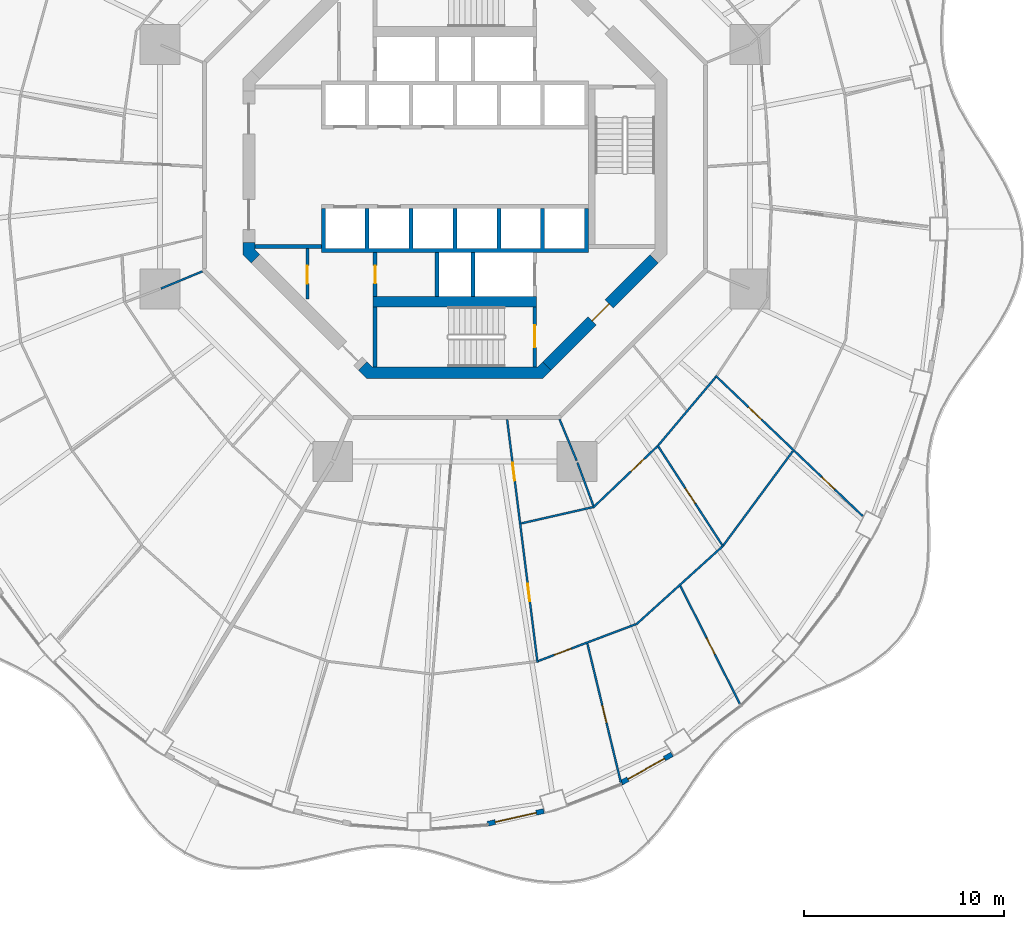
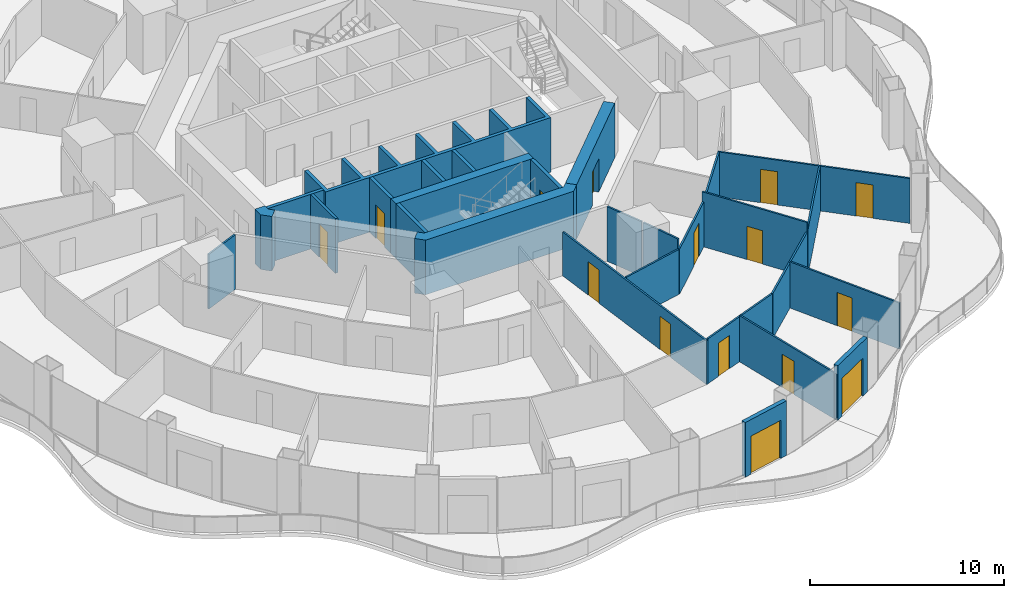
# One storey, part 12 of 19: 28 walls, 15 doors, 15 openings.
"""IFC4 building model written with IfcOpenShell, lengths in metres."""

from ifc_helpers import new_model, si_unit, direction, frame, frame_2d, origin, place, context, subcontext, project, spatial, polyline, rectangle, outline, extrude, material, layer, layer_set, type_object, element, fill, save


model = new_model("IFC4")

# Units and contexts
model_context = context("Model", 3, precision=1e-05, world=origin(), true_north=direction((0.0, 1.0)))
body_context = subcontext(model_context, "Body", "Model", "MODEL_VIEW")
ifc_project = project(units=[si_unit("LENGTHUNIT", "METRE"), si_unit("AREAUNIT", "SQUARE_METRE"), si_unit("VOLUMEUNIT", "CUBIC_METRE"), si_unit("PLANEANGLEUNIT", "RADIAN"), si_unit("MASSUNIT", "GRAM", prefix="KILO")], contexts=[model_context])

# Site, building, storey
site_placement = place(None, origin())
site = spatial("IfcSite", under=ifc_project, at=site_placement, CompositionType="ELEMENT")
building_placement = place(site_placement, origin())
building = spatial("IfcBuilding", under=site, at=building_placement, Name="Nagisa Residences", CompositionType="ELEMENT")
storey_placement = place(building_placement, frame((0.0, 0.0, 149.199951171875)))
storey = spatial("IfcBuildingStorey", under=building, at=storey_placement, Name="L37", CompositionType="ELEMENT", Elevation=149.199951171875)

# Wall
ifc_material_1 = material(Name="Gypsum board on steel studs", Category="steel")
ifc_layer_1 = layer(ifc_material_1, 0.10009765625)
ifc_layer_set_1 = layer_set([ifc_layer_1], Name="Apartment partition 100")
wall_type_1 = type_object("IfcWallType", Name="Apartment partition 100", PredefinedType="PARTITIONING", material=ifc_layer_set_1)
wall_1_placement = place(storey_placement, frame((-12.6572265625, -5.24267578125, 0.0), z_axis=(0.0, 0.0, 1.0), x_axis=(-0.923864733477, -0.382719158442, 0.0)))
element("IfcWall", 1, at=wall_1_placement, inside=storey, type_object=wall_type_1, Name="wall:L37:u59", PredefinedType="PARTITIONING", context=body_context, shape_type="SweptSolid", body=[
    extrude(rectangle(XDim=2.25, YDim=0.10009765625, at=frame_2d((1.125, 0.0))), origin(), (0.0, 0.0, 1.0), 3.43994140625),
])

# Wall, openings, doors
wall_2_placement = place(storey_placement, frame((2.61474609375, -12.6640625, 0.0), z_axis=(0.0, 0.0, 1.0), x_axis=(0.124051875784, -0.992275733914, 0.0)))
wall_2 = element("IfcWall", 2, at=wall_2_placement, inside=storey, type_object=wall_type_1, Name="wall:L37:u79", PredefinedType="PARTITIONING", context=body_context, shape_type="SweptSolid", body=[
    extrude(rectangle(XDim=12.270751953125, YDim=0.10009765625, at=frame_2d((6.13525390625, 0.0))), origin(), (0.0, 0.0, 1.0), 2.756103515625),
])
opening_1_placement = place(wall_2_placement, frame((2.182861328125, 0.0, 0.0)))
opening_1 = element("IfcOpeningElement", 3, at=opening_1_placement, cuts=wall_2, Name="Opening L37-U03", PredefinedType="OPENING", context=body_context, shape_type="SweptSolid", body=[
    extrude(rectangle(XDim=0.89990234375, YDim=2.10009765625, at=frame_2d((0.449951171875, 1.050048828125))), frame((0.0, 0.06005859375, 0.0), z_axis=(0.0, -1.0, 0.0), x_axis=(1.0, 0.0, 0.0)), (0.0, 0.0, 1.0), 0.1201171875),
])
opening_2_placement = place(wall_2_placement, frame((8.293212890625, 0.0, 0.0)))
opening_2 = element("IfcOpeningElement", 4, at=opening_2_placement, cuts=wall_2, Name="Opening L37-U06", PredefinedType="OPENING", context=body_context, shape_type="SweptSolid", body=[
    extrude(rectangle(XDim=0.89990234375, YDim=2.10009765625, at=frame_2d((0.449951171875, 1.050048828125))), frame((0.0, 0.06005859375, 0.0), z_axis=(0.0, -1.0, 0.0), x_axis=(1.0, 0.0, 0.0)), (0.0, 0.0, 1.0), 0.1201171875),
])
ifc_material_2 = material(Name="Timber door set", Category="wood")
door_type_1 = type_object("IfcDoorType", Name="Apartment door 900x2100", OperationType="NOTDEFINED", PredefinedType="DOOR", material=ifc_material_2)
door_1_placement = place(opening_1_placement, origin())
door_1 = element("IfcDoor", 5, at=door_1_placement, inside=storey, type_object=door_type_1, Name="Door to family bathroom, Apartment 37A", OperationType="SINGLE_SWING_LEFT", OverallHeight=2.10009765625, OverallWidth=0.89990234375, PredefinedType="DOOR", context=body_context, shape_type="SweptSolid", body=[
    extrude(rectangle(XDim=0.89990234375, YDim=2.10009765625, at=frame_2d((0.449951171875, 1.050048828125))), frame((0.0, 0.02490234375, 0.0), z_axis=(0.0, -1.0, 0.0), x_axis=(1.0, 0.0, 0.0)), (0.0, 0.0, 1.0), 0.050048828125),
])
fill(opening_1, door_1)
door_2_placement = place(opening_2_placement, origin())
door_2 = element("IfcDoor", 6, at=door_2_placement, inside=storey, type_object=door_type_1, Name="Door to family room, Apartment 37A", OperationType="SINGLE_SWING_RIGHT", OverallHeight=2.10009765625, OverallWidth=0.89990234375, PredefinedType="DOOR", context=body_context, shape_type="SweptSolid", body=[
    extrude(rectangle(XDim=0.89990234375, YDim=2.10009765625, at=frame_2d((0.449951171875, 1.050048828125))), frame((0.0, 0.02490234375, 0.0), z_axis=(0.0, -1.0, 0.0), x_axis=(1.0, 0.0, 0.0)), (0.0, 0.0, 1.0), 0.050048828125),
])
fill(opening_2, door_2)

# Wall
wall_3_placement = place(storey_placement, frame((3.316650390625, -17.8779296875, 0.0), z_axis=(0.0, 0.0, 1.0), x_axis=(0.975099660451, 0.221767112505, 0.0)))
element("IfcWall", 7, at=wall_3_placement, inside=storey, type_object=wall_type_1, Name="wall:L37:u80", PredefinedType="PARTITIONING", context=body_context, shape_type="SweptSolid", body=[
    extrude(rectangle(XDim=3.685791015625, YDim=0.10009765625, at=frame_2d((1.8427734375, 0.0))), origin(), (0.0, 0.0, 1.0), 2.828125),
])

# Wall, opening, door
wall_4_placement = place(storey_placement, frame((4.177734375, -24.77294921875, 0.0), z_axis=(0.0, 0.0, 1.0), x_axis=(0.935585145124, 0.353101169955, 0.0)))
wall_4 = element("IfcWall", 8, at=wall_4_placement, inside=storey, type_object=wall_type_1, Name="wall:L37:u81", PredefinedType="PARTITIONING", context=body_context, shape_type="SweptSolid", body=[
    extrude(rectangle(XDim=5.2333984375, YDim=0.10009765625, at=frame_2d((2.61669921875, 0.0))), origin(), (0.0, 0.0, 1.0), 2.828125),
])
opening_3_placement = place(wall_4_placement, frame((0.8583984375, 0.0, 0.0)))
opening_3 = element("IfcOpeningElement", 9, at=opening_3_placement, cuts=wall_4, Name="Opening L37-U13", PredefinedType="OPENING", context=body_context, shape_type="SweptSolid", body=[
    extrude(rectangle(XDim=0.89990234375, YDim=2.10009765625, at=frame_2d((0.449951171875, 1.050048828125))), frame((0.0, 0.06005859375, 0.0), z_axis=(0.0, -1.0, 0.0), x_axis=(1.0, 0.0, 0.0)), (0.0, 0.0, 1.0), 0.1201171875),
])
door_3_placement = place(opening_3_placement, frame((0.89990234375, 0.0, 0.0), x_axis=(-1.0, 0.0, 0.0)))
door_3 = element("IfcDoor", 10, at=door_3_placement, inside=storey, type_object=door_type_1, Name="Door to dining room, Apartment 37A", OperationType="SINGLE_SWING_RIGHT", OverallHeight=2.10009765625, OverallWidth=0.89990234375, PredefinedType="DOOR", context=body_context, shape_type="SweptSolid", body=[
    extrude(rectangle(XDim=0.89990234375, YDim=2.10009765625, at=frame_2d((0.449951171875, 1.050048828125))), frame((0.0, 0.02490234375, 0.0), z_axis=(0.0, -1.0, 0.0), x_axis=(1.0, 0.0, 0.0)), (0.0, 0.0, 1.0), 0.050048828125),
])
fill(opening_3, door_3)

wall_5_placement = place(storey_placement, frame((6.6376953125, -23.8974609375, 0.0), z_axis=(0.0, 0.0, 1.0), x_axis=(0.23451925277, -0.97211147513, 0.0)))
wall_5 = element("IfcWall", 11, at=wall_5_placement, inside=storey, type_object=wall_type_1, Name="wall:L37:u82", PredefinedType="PARTITIONING", context=body_context, shape_type="SweptSolid", body=[
    extrude(rectangle(XDim=7.281005859375, YDim=0.10009765625, at=frame_2d((3.640625, 0.0))), origin(), (0.0, 0.0, 1.0), 2.905029296875),
])
opening_4_placement = place(wall_5_placement, frame((3.1904296875, 0.0, 0.0)))
opening_4 = element("IfcOpeningElement", 12, at=opening_4_placement, cuts=wall_5, Name="Opening L37-U14", PredefinedType="OPENING", context=body_context, shape_type="SweptSolid", body=[
    extrude(rectangle(XDim=0.89990234375, YDim=2.10009765625, at=frame_2d((0.449951171875, 1.050048828125))), frame((0.0, 0.06005859375, 0.0), z_axis=(0.0, -1.0, 0.0), x_axis=(1.0, 0.0, 0.0)), (0.0, 0.0, 1.0), 0.1201171875),
])
door_4_placement = place(opening_4_placement, origin())
door_4 = element("IfcDoor", 13, at=door_4_placement, inside=storey, type_object=door_type_1, Name="Door to living room, Apartment 37A", OperationType="SINGLE_SWING_RIGHT", OverallHeight=2.10009765625, OverallWidth=0.89990234375, PredefinedType="DOOR", context=body_context, shape_type="SweptSolid", body=[
    extrude(rectangle(XDim=0.89990234375, YDim=2.10009765625, at=frame_2d((0.449951171875, 1.050048828125))), frame((0.0, 0.02490234375, 0.0), z_axis=(0.0, -1.0, 0.0), x_axis=(1.0, 0.0, 0.0)), (0.0, 0.0, 1.0), 0.050048828125),
])
fill(opening_4, door_4)

# Walls
wall_6_placement = place(storey_placement, frame((5.24267578125, -12.6572265625, 0.0), z_axis=(0.0, 0.0, 1.0), x_axis=(0.382703272338, -0.923871314276, 0.0)))
element("IfcWall", 14, at=wall_6_placement, inside=storey, type_object=wall_type_1, Name="wall:L37:u83", PredefinedType="PARTITIONING", context=body_context, shape_type="SweptSolid", body=[
    extrude(rectangle(XDim=2.249267578125, YDim=0.10009765625, at=frame_2d((1.12451171875, 0.0))), origin(), (0.0, 0.0, 1.0), 3.43994140625),
])
wall_7_placement = place(storey_placement, frame((6.14013671875, -14.8291015625, 0.0), z_axis=(0.0, 0.0, 1.0), x_axis=(0.346198576881, -0.938161257655, 0.0)))
element("IfcWall", 15, at=wall_7_placement, inside=storey, type_object=wall_type_1, Name="wall:L37:u84", PredefinedType="PARTITIONING", context=body_context, shape_type="SweptSolid", body=[
    extrude(rectangle(XDim=2.316650390625, YDim=0.10009765625, at=frame_2d((1.158203125, 0.0))), origin(), (0.0, 0.0, 1.0), 3.43994140625),
])

# Wall, opening, door
wall_8_placement = place(storey_placement, frame((6.92333984375, -17.083984375, 0.0), z_axis=(0.0, 0.0, 1.0), x_axis=(0.723719008606, 0.690094773623, 0.0)))
wall_8 = element("IfcWall", 16, at=wall_8_placement, inside=storey, type_object=wall_type_1, Name="wall:L37:u85", PredefinedType="PARTITIONING", context=body_context, shape_type="SweptSolid", body=[
    extrude(rectangle(XDim=4.436279296875, YDim=0.10009765625, at=frame_2d((2.21826171875, 0.0))), origin(), (0.0, 0.0, 1.0), 2.828125),
])
opening_5_placement = place(wall_8_placement, frame((2.629150390625, 0.0, 0.0)))
opening_5 = element("IfcOpeningElement", 17, at=opening_5_placement, cuts=wall_8, Name="Opening L37-U20", PredefinedType="OPENING", context=body_context, shape_type="SweptSolid", body=[
    extrude(rectangle(XDim=0.89990234375, YDim=2.10009765625, at=frame_2d((0.449951171875, 1.050048828125))), frame((0.0, 0.06005859375, 0.0), z_axis=(0.0, -1.0, 0.0), x_axis=(1.0, 0.0, 0.0)), (0.0, 0.0, 1.0), 0.1201171875),
])
door_5_placement = place(opening_5_placement, origin())
door_5 = element("IfcDoor", 18, at=door_5_placement, inside=storey, type_object=door_type_1, Name="Door to store, Apartment 37A", OperationType="SINGLE_SWING_RIGHT", OverallHeight=2.10009765625, OverallWidth=0.89990234375, PredefinedType="DOOR", context=body_context, shape_type="SweptSolid", body=[
    extrude(rectangle(XDim=0.89990234375, YDim=2.10009765625, at=frame_2d((0.449951171875, 1.050048828125))), frame((0.0, 0.02490234375, 0.0), z_axis=(0.0, -1.0, 0.0), x_axis=(1.0, 0.0, 0.0)), (0.0, 0.0, 1.0), 0.050048828125),
])
fill(opening_5, door_5)

# Wall
wall_9_placement = place(storey_placement, frame((9.083740234375, -22.94091796875, 0.0), z_axis=(0.0, 0.0, 1.0), x_axis=(0.741684187175, 0.670749257543, 0.0)))
element("IfcWall", 19, at=wall_9_placement, inside=storey, type_object=wall_type_1, Name="wall:L37:u86", PredefinedType="PARTITIONING", context=body_context, shape_type="SweptSolid", body=[
    extrude(rectangle(XDim=5.80615234375, YDim=0.10009765625, at=frame_2d((2.903076171875, 0.0))), origin(), (0.0, 0.0, 1.0), 2.828125),
])

# Wall, opening, door
wall_10_placement = place(storey_placement, frame((11.29638671875, -21.0048828125, 0.0), z_axis=(0.0, 0.0, 1.0), x_axis=(0.44991509116, -0.893071335755, 0.0)))
wall_10 = element("IfcWall", 20, at=wall_10_placement, inside=storey, type_object=wall_type_1, Name="wall:L37:u87", PredefinedType="PARTITIONING", context=body_context, shape_type="SweptSolid", body=[
    extrude(rectangle(XDim=6.754638671875, YDim=0.10009765625, at=frame_2d((3.37744140625, 0.0))), origin(), (0.0, 0.0, 1.0), 2.905029296875),
])
opening_6_placement = place(wall_10_placement, frame((2.927490234375, 0.0, 0.0)))
opening_6 = element("IfcOpeningElement", 21, at=opening_6_placement, cuts=wall_10, Name="Opening L37-U15", PredefinedType="OPENING", context=body_context, shape_type="SweptSolid", body=[
    extrude(rectangle(XDim=0.89990234375, YDim=2.10009765625, at=frame_2d((0.449951171875, 1.050048828125))), frame((0.0, 0.06005859375, 0.0), z_axis=(0.0, -1.0, 0.0), x_axis=(1.0, 0.0, 0.0)), (0.0, 0.0, 1.0), 0.1201171875),
])
door_6_placement = place(opening_6_placement, origin())
door_6 = element("IfcDoor", 22, at=door_6_placement, inside=storey, type_object=door_type_1, Name="Door to dining room, Apartment 37A", OperationType="SINGLE_SWING_LEFT", OverallHeight=2.10009765625, OverallWidth=0.89990234375, PredefinedType="DOOR", context=body_context, shape_type="SweptSolid", body=[
    extrude(rectangle(XDim=0.89990234375, YDim=2.10009765625, at=frame_2d((0.449951171875, 1.050048828125))), frame((0.0, 0.02490234375, 0.0), z_axis=(0.0, -1.0, 0.0), x_axis=(1.0, 0.0, 0.0)), (0.0, 0.0, 1.0), 0.050048828125),
])
fill(opening_6, door_6)

wall_11_placement = place(storey_placement, frame((10.14306640625, -13.94580078125, 0.0), z_axis=(0.0, 0.0, 1.0), x_axis=(0.543872968754, -0.839167560061, 0.0)))
wall_11 = element("IfcWall", 23, at=wall_11_placement, inside=storey, type_object=wall_type_1, Name="wall:L37:u88", PredefinedType="PARTITIONING", context=body_context, shape_type="SweptSolid", body=[
    extrude(rectangle(XDim=6.08837890625, YDim=0.10009765625, at=frame_2d((3.044189453125, 0.0))), origin(), (0.0, 0.0, 1.0), 3.43994140625),
])
opening_7_placement = place(wall_11_placement, frame((2.593994140625, 0.0, 0.0)))
opening_7 = element("IfcOpeningElement", 24, at=opening_7_placement, cuts=wall_11, Name="Opening L37-U07", PredefinedType="OPENING", context=body_context, shape_type="SweptSolid", body=[
    extrude(rectangle(XDim=0.89990234375, YDim=2.10009765625, at=frame_2d((0.449951171875, 1.050048828125))), frame((0.0, 0.06005859375, 0.0), z_axis=(0.0, -1.0, 0.0), x_axis=(1.0, 0.0, 0.0)), (0.0, 0.0, 1.0), 0.1201171875),
])
door_7_placement = place(opening_7_placement, origin())
door_7 = element("IfcDoor", 25, at=door_7_placement, inside=storey, type_object=door_type_1, Name="Door to study, Apartment 37A", OperationType="SINGLE_SWING_LEFT", OverallHeight=2.10009765625, OverallWidth=0.89990234375, PredefinedType="DOOR", context=body_context, shape_type="SweptSolid", body=[
    extrude(rectangle(XDim=0.89990234375, YDim=2.10009765625, at=frame_2d((0.449951171875, 1.050048828125))), frame((0.0, 0.02490234375, 0.0), z_axis=(0.0, -1.0, 0.0), x_axis=(1.0, 0.0, 0.0)), (0.0, 0.0, 1.0), 0.050048828125),
])
fill(opening_7, door_7)

# Walls
wall_12_placement = place(storey_placement, frame((10.202392578125, -13.94970703125, 0.0), z_axis=(0.0, 0.0, 1.0), x_axis=(0.644068144287, 0.764968120587, 0.0)))
element("IfcWall", 26, at=wall_12_placement, inside=storey, type_object=wall_type_1, Name="wall:L37:u89", PredefinedType="PARTITIONING", context=body_context, shape_type="SweptSolid", body=[
    extrude(rectangle(XDim=4.44873046875, YDim=0.10009765625, at=frame_2d((2.224365234375, 0.0))), origin(), (0.0, 0.0, 1.0), 2.828125),
])
wall_13_placement = place(storey_placement, frame((13.456787109375, -18.97265625, 0.0), z_axis=(0.0, 0.0, 1.0), x_axis=(0.593532053206, 0.80481035146, 0.0)))
element("IfcWall", 27, at=wall_13_placement, inside=storey, type_object=wall_type_1, Name="wall:L37:u90", PredefinedType="PARTITIONING", context=body_context, shape_type="SweptSolid", body=[
    extrude(rectangle(XDim=5.8759765625, YDim=0.10009765625, at=frame_2d((2.93798828125, 0.0))), origin(), (0.0, 0.0, 1.0), 2.828125),
])

# Wall, openings, doors
wall_14_placement = place(storey_placement, frame((13.063720703125, -10.473876953125, 0.0), z_axis=(0.0, 0.0, 1.0), x_axis=(0.723627371706, -0.690190862673, 0.0)))
wall_14 = element("IfcWall", 28, at=wall_14_placement, inside=storey, type_object=wall_type_1, Name="wall:L37:u92", PredefinedType="PARTITIONING", context=body_context, shape_type="SweptSolid", body=[
    extrude(rectangle(XDim=10.193115234375, YDim=0.10009765625, at=frame_2d((5.0966796875, 0.0))), origin(), (0.0, 0.0, 1.0), 2.828125),
])
opening_8_placement = place(wall_14_placement, frame((2.27685546875, 0.0, 0.0)))
opening_8 = element("IfcOpeningElement", 29, at=opening_8_placement, cuts=wall_14, Name="Opening L37-U08", PredefinedType="OPENING", context=body_context, shape_type="SweptSolid", body=[
    extrude(rectangle(XDim=0.89990234375, YDim=2.10009765625, at=frame_2d((0.449951171875, 1.050048828125))), frame((0.0, 0.06005859375, 0.0), z_axis=(0.0, -1.0, 0.0), x_axis=(1.0, 0.0, 0.0)), (0.0, 0.0, 1.0), 0.1201171875),
])
opening_9_placement = place(wall_14_placement, frame((7.348388671875, 0.0, 0.0)))
opening_9 = element("IfcOpeningElement", 30, at=opening_9_placement, cuts=wall_14, Name="Opening L37-U16", PredefinedType="OPENING", context=body_context, shape_type="SweptSolid", body=[
    extrude(rectangle(XDim=0.89990234375, YDim=2.10009765625, at=frame_2d((0.449951171875, 1.050048828125))), frame((0.0, 0.06005859375, 0.0), z_axis=(0.0, -1.0, 0.0), x_axis=(1.0, 0.0, 0.0)), (0.0, 0.0, 1.0), 0.1201171875),
])
door_8_placement = place(opening_8_placement, origin())
door_8 = element("IfcDoor", 31, at=door_8_placement, inside=storey, type_object=door_type_1, Name="Door to family room, Apartment 37A", OperationType="SINGLE_SWING_RIGHT", OverallHeight=2.10009765625, OverallWidth=0.89990234375, PredefinedType="DOOR", context=body_context, shape_type="SweptSolid", body=[
    extrude(rectangle(XDim=0.89990234375, YDim=2.10009765625, at=frame_2d((0.449951171875, 1.050048828125))), frame((0.0, 0.02490234375, 0.0), z_axis=(0.0, -1.0, 0.0), x_axis=(1.0, 0.0, 0.0)), (0.0, 0.0, 1.0), 0.050048828125),
])
fill(opening_8, door_8)
door_9_placement = place(opening_9_placement, origin())
door_9 = element("IfcDoor", 32, at=door_9_placement, inside=storey, type_object=door_type_1, Name="Door to living room, Apartment 37A", OperationType="SINGLE_SWING_RIGHT", OverallHeight=2.10009765625, OverallWidth=0.89990234375, PredefinedType="DOOR", context=body_context, shape_type="SweptSolid", body=[
    extrude(rectangle(XDim=0.89990234375, YDim=2.10009765625, at=frame_2d((0.449951171875, 1.050048828125))), frame((0.0, 0.02490234375, 0.0), z_axis=(0.0, -1.0, 0.0), x_axis=(1.0, 0.0, 0.0)), (0.0, 0.0, 1.0), 0.050048828125),
])
fill(opening_9, door_9)

# Wall, opening, door
ifc_material_3 = material(Name="Precast concrete C40/50", Category="concrete")
ifc_layer_2 = layer(ifc_material_3, 0.25)
ifc_layer_set_2 = layer_set([ifc_layer_2], Name="BALCONY DOOR WALL 250")
wall_type_2 = type_object("IfcWallType", Name="BALCONY DOOR WALL 250", PredefinedType="SOLIDWALL", material=ifc_layer_set_2)
wall_15_placement = place(storey_placement, frame((4.455078125, -32.29443359375, 0.0), z_axis=(0.0, 0.0, 1.0), x_axis=(-0.975339035722, -0.220711951186, 0.0)))
wall_15 = element("IfcWall", 33, at=wall_15_placement, inside=storey, type_object=wall_type_2, Name="wall:L37:bay37", PredefinedType="SOLIDWALL", context=body_context, shape_type="SweptSolid", body=[
    extrude(rectangle(XDim=2.890380859375, YDim=0.25, at=frame_2d((1.4453125, 0.0))), origin(), (0.0, 0.0, 1.0), 3.43994140625),
])
opening_10_placement = place(wall_15_placement, frame((0.395263671875, 0.0, 0.0)))
opening_10 = element("IfcOpeningElement", 34, at=opening_10_placement, cuts=wall_15, Name="Opening BD-L37-13", PredefinedType="OPENING", context=body_context, shape_type="SweptSolid", body=[
    extrude(rectangle(XDim=2.10009765625, YDim=2.39990234375, at=frame_2d((1.050048828125, 1.199951171875))), frame((0.0, 0.135009765625, 0.0), z_axis=(0.0, -1.0, 0.0), x_axis=(1.0, 0.0, 0.0)), (0.0, 0.0, 1.0), 0.27001953125),
])
ifc_material_4 = material(Name="Aluminium and clear glass", Category="aluminium")
door_type_2 = type_object("IfcDoorType", Name="BALCONY SLIDING DOOR 2100x2400", OperationType="SLIDING_TO_LEFT", PredefinedType="DOOR", material=ifc_material_4)
door_10_placement = place(opening_10_placement, origin())
door_10 = element("IfcDoor", 35, at=door_10_placement, inside=storey, type_object=door_type_2, Name="door:L37:bay37", OperationType="SLIDING_TO_LEFT", OverallHeight=2.39990234375, OverallWidth=2.10009765625, PredefinedType="DOOR", context=body_context, shape_type="SweptSolid", body=[
    extrude(rectangle(XDim=2.10009765625, YDim=2.39990234375, at=frame_2d((1.050048828125, 1.199951171875))), frame((0.0, 0.02490234375, 0.0), z_axis=(0.0, -1.0, 0.0), x_axis=(1.0, 0.0, 0.0)), (0.0, 0.0, 1.0), 0.050048828125),
])
fill(opening_10, door_10)

wall_16_placement = place(storey_placement, frame((10.883056640625, -29.451904296875, 0.0), z_axis=(0.0, 0.0, 1.0), x_axis=(-0.87206688547, -0.489386705241, 0.0)))
wall_16 = element("IfcWall", 36, at=wall_16_placement, inside=storey, type_object=wall_type_2, Name="wall:L37:bay39", PredefinedType="SOLIDWALL", context=body_context, shape_type="SweptSolid", body=[
    extrude(rectangle(XDim=2.9697265625, YDim=0.25, at=frame_2d((1.48486328125, 0.0))), origin(), (0.0, 0.0, 1.0), 3.43994140625),
])
opening_11_placement = place(wall_16_placement, frame((0.434814453125, 0.0, 0.0)))
opening_11 = element("IfcOpeningElement", 37, at=opening_11_placement, cuts=wall_16, Name="Opening BD-L37-14", PredefinedType="OPENING", context=body_context, shape_type="SweptSolid", body=[
    extrude(rectangle(XDim=2.10009765625, YDim=2.39990234375, at=frame_2d((1.050048828125, 1.199951171875))), frame((0.0, 0.135009765625, 0.0), z_axis=(0.0, -1.0, 0.0), x_axis=(1.0, 0.0, 0.0)), (0.0, 0.0, 1.0), 0.27001953125),
])
door_11_placement = place(opening_11_placement, origin())
door_11 = element("IfcDoor", 38, at=door_11_placement, inside=storey, type_object=door_type_2, Name="door:L37:bay39", OperationType="SLIDING_TO_LEFT", OverallHeight=2.39990234375, OverallWidth=2.10009765625, PredefinedType="DOOR", context=body_context, shape_type="SweptSolid", body=[
    extrude(rectangle(XDim=2.10009765625, YDim=2.39990234375, at=frame_2d((1.050048828125, 1.199951171875))), frame((0.0, 0.02490234375, 0.0), z_axis=(0.0, -1.0, 0.0), x_axis=(1.0, 0.0, 0.0)), (0.0, 0.0, 1.0), 0.050048828125),
])
fill(opening_11, door_11)

ifc_material_5 = material(Name="Gypsum board on steel studs", Category="steel")
ifc_layer_3 = layer(ifc_material_5, 0.14990234375)
ifc_layer_set_3 = layer_set([ifc_layer_3], Name="Core partition 150")
wall_type_3 = type_object("IfcWallType", Name="Core partition 150", PredefinedType="PARTITIONING", material=ifc_layer_set_3)
wall_17_placement = place(storey_placement, frame((-7.39990234375, -6.626953125, 0.0), z_axis=(0.0, 0.0, 1.0), x_axis=(0.0, 1.0, 0.0)))
wall_17 = element("IfcWall", 39, at=wall_17_placement, inside=storey, type_object=wall_type_3, Name="wall:L37:SWp", PredefinedType="PARTITIONING", context=body_context, shape_type="SweptSolid", body=[
    extrude(rectangle(XDim=2.52685546875, YDim=0.14990234375, at=frame_2d((1.263427734375, 0.0))), origin(), (0.0, 0.0, 1.0), 3.43994140625),
])
opening_12_placement = place(wall_17_placement, frame((0.77587890625, 0.0, 0.0)))
opening_12 = element("IfcOpeningElement", 40, at=opening_12_placement, cuts=wall_17, Name="Opening L37-C13", PredefinedType="OPENING", context=body_context, shape_type="SweptSolid", body=[
    extrude(rectangle(XDim=0.89990234375, YDim=2.10009765625, at=frame_2d((0.449951171875, 1.050048828125))), frame((0.0, 0.0849609375, 0.0), z_axis=(0.0, -1.0, 0.0), x_axis=(1.0, 0.0, 0.0)), (0.0, 0.0, 1.0), 0.169921875),
])
ifc_material_6 = material(Name="Steel fire door", Category="steel")
door_type_3 = type_object("IfcDoorType", Name="Fire door EI30 900x2100 single swing", OperationType="NOTDEFINED", PredefinedType="DOOR", material=ifc_material_6)
door_12_placement = place(opening_12_placement, origin())
door_12 = element("IfcDoor", 41, at=door_12_placement, inside=storey, type_object=door_type_3, Name="Valet store door L37", OperationType="SINGLE_SWING_LEFT", OverallHeight=2.10009765625, OverallWidth=0.89990234375, PredefinedType="DOOR", context=body_context, shape_type="SweptSolid", body=[
    extrude(rectangle(XDim=0.89990234375, YDim=2.10009765625, at=frame_2d((0.449951171875, 1.050048828125))), frame((0.0, 0.02490234375, 0.0), z_axis=(0.0, -1.0, 0.0), x_axis=(1.0, 0.0, 0.0)), (0.0, 0.0, 1.0), 0.050048828125),
])
fill(opening_12, door_12)

# Wall
ifc_material_7 = material(Name="Gypsum board on steel studs", Category="steel")
ifc_layer_4 = layer(ifc_material_7, 0.199951171875)
ifc_layer_set_4 = layer_set([ifc_layer_4], Name="Core partition 200")
wall_type_4 = type_object("IfcWallType", Name="Core partition 200", PredefinedType="PARTITIONING", material=ifc_layer_set_4)
wall_18_placement = place(storey_placement, frame((-10.024658203125, -4.0, 0.0), z_axis=(0.0, 0.0, 1.0), x_axis=(1.0, 0.0, 0.0)))
element("IfcWall", 42, at=wall_18_placement, inside=storey, type_object=wall_type_4, Name="wall:L37:PSW", PredefinedType="PARTITIONING", context=body_context, shape_type="SweptSolid", body=[
    extrude(rectangle(XDim=3.32470703125, YDim=0.199951171875, at=frame_2d((1.662353515625, 0.0))), origin(), (0.0, 0.0, 1.0), 3.43994140625),
])

# Wall, opening, door
ifc_material_8 = material(Name="Concrete C60", Category="concrete")
ifc_layer_5 = layer(ifc_material_8, 0.60009765625)
ifc_layer_set_5 = layer_set([ifc_layer_5], Name="Core shear wall 600")
wall_type_5 = type_object("IfcWallType", Name="Core shear wall 600", PredefinedType="SHEAR", material=ifc_layer_set_5)
wall_19_placement = place(storey_placement, frame((4.613037109375, -9.98828125, 0.0), z_axis=(0.0, 0.0, 1.0), x_axis=(0.707106781187, 0.707106781187, 0.0)))
wall_19 = element("IfcWall", 43, at=wall_19_placement, inside=storey, type_object=wall_type_5, Name="wall:L37:core:flat7", PredefinedType="SHEAR", context=body_context, shape_type="SweptSolid", body=[
    extrude(rectangle(XDim=7.601806640625, YDim=0.60009765625, at=frame_2d((3.80078125, 0.0))), origin(), (0.0, 0.0, 1.0), 3.43994140625),
])
opening_13_placement = place(wall_19_placement, frame((3.200927734375, 0.0, 0.0)))
opening_13 = element("IfcOpeningElement", 44, at=opening_13_placement, cuts=wall_19, Name="Opening L37-C16", PredefinedType="OPENING", context=body_context, shape_type="SweptSolid", body=[
    extrude(rectangle(XDim=1.199951171875, YDim=2.10009765625, at=frame_2d((0.60009765625, 1.050048828125))), frame((0.0, 0.31005859375, 0.0), z_axis=(0.0, -1.0, 0.0), x_axis=(1.0, 0.0, 0.0)), (0.0, 0.0, 1.0), 0.6201171875),
])
ifc_material_9 = material(Name="Steel fire door", Category="steel")
door_type_4 = type_object("IfcDoorType", Name="Fire door EI60 1200x2100 single swing", OperationType="NOTDEFINED", PredefinedType="DOOR", material=ifc_material_9)
door_13_placement = place(opening_13_placement, origin())
door_13 = element("IfcDoor", 45, at=door_13_placement, inside=storey, type_object=door_type_4, Name="Firefighting lobby 2 door L37", OperationType="SINGLE_SWING_LEFT", OverallHeight=2.10009765625, OverallWidth=1.199951171875, PredefinedType="DOOR", context=body_context, shape_type="SweptSolid", body=[
    extrude(rectangle(XDim=1.199951171875, YDim=2.10009765625, at=frame_2d((0.60009765625, 1.050048828125))), frame((0.0, 0.02490234375, 0.0), z_axis=(0.0, -1.0, 0.0), x_axis=(1.0, 0.0, 0.0)), (0.0, 0.0, 1.0), 0.050048828125),
])
fill(opening_13, door_13)

# Walls
wall_20_placement = place(storey_placement, origin())
element("IfcWall", 46, at=wall_20_placement, inside=storey, type_object=wall_type_5, Name="wall:L37:core:pier4", PredefinedType="SHEAR", context=body_context, shape_type="SweptSolid", body=[
    extrude(outline(polyline([(-10.62451171875, -3.80078125), (-10.024658203125, -3.80078125), (-10.024658203125, -4.15234375), (-9.776123046875, -4.40087890625), (-10.200439453125, -4.8251953125), (-10.62451171875, -4.40087890625), (-10.62451171875, -3.80078125)])), origin(), (0.0, 0.0, 1.0), 3.43994140625),
])
wall_21_placement = place(storey_placement, origin())
element("IfcWall", 47, at=wall_21_placement, inside=storey, type_object=wall_type_5, Name="wall:L37:core:flat6", PredefinedType="SHEAR", context=body_context, shape_type="SweptSolid", body=[
    extrude(outline(polyline([(-4.15234375, -10.024658203125), (4.15234375, -10.024658203125), (4.40087890625, -9.776123046875), (4.8251953125, -10.200439453125), (4.40087890625, -10.62451171875), (-4.40087890625, -10.62451171875), (-4.8251953125, -10.200439453125), (-4.40087890625, -9.776123046875), (-4.15234375, -10.024658203125)])), origin(), (0.0, 0.0, 1.0), 3.43994140625),
])

# Wall, opening, door
ifc_material_10 = material(Name="Concrete C60", Category="concrete")
ifc_layer_6 = layer(ifc_material_10, 0.199951171875)
ifc_layer_set_6 = layer_set([ifc_layer_6], Name="Lift shaft wall 200")
wall_type_6 = type_object("IfcWallType", Name="Lift shaft wall 200", PredefinedType="SOLIDWALL", material=ifc_layer_set_6)
wall_22_placement = place(storey_placement, frame((-4.0, -6.5, 0.0), z_axis=(0.0, 0.0, 1.0), x_axis=(0.0, 1.0, 0.0)))
wall_22 = element("IfcWall", 48, at=wall_22_placement, inside=storey, type_object=wall_type_6, Name="wall:L37:Sb4", PredefinedType="SOLIDWALL", context=body_context, shape_type="SweptSolid", body=[
    extrude(rectangle(XDim=2.199951171875, YDim=0.199951171875, at=frame_2d((1.10009765625, 0.0))), origin(), (0.0, 0.0, 1.0), 3.43994140625),
])
opening_14_placement = place(wall_22_placement, frame((0.64990234375, 0.0, 0.0)))
opening_14 = element("IfcOpeningElement", 49, at=opening_14_placement, cuts=wall_22, Name="Opening L37-C14", PredefinedType="OPENING", context=body_context, shape_type="SweptSolid", body=[
    extrude(rectangle(XDim=0.89990234375, YDim=2.10009765625, at=frame_2d((0.449951171875, 1.050048828125))), frame((0.0, 0.10986328125, 0.0), z_axis=(0.0, -1.0, 0.0), x_axis=(1.0, 0.0, 0.0)), (0.0, 0.0, 1.0), 0.219970703125),
])
door_14_placement = place(opening_14_placement, frame((0.89990234375, 0.0, 0.0), x_axis=(-1.0, 0.0, 0.0)))
door_14 = element("IfcDoor", 50, at=door_14_placement, inside=storey, type_object=door_type_3, Name="Refuse room door L37", OperationType="SINGLE_SWING_LEFT", OverallHeight=2.10009765625, OverallWidth=0.89990234375, PredefinedType="DOOR", context=body_context, shape_type="SweptSolid", body=[
    extrude(rectangle(XDim=0.89990234375, YDim=2.10009765625, at=frame_2d((0.449951171875, 1.050048828125))), frame((0.0, 0.02490234375, 0.0), z_axis=(0.0, -1.0, 0.0), x_axis=(1.0, 0.0, 0.0)), (0.0, 0.0, 1.0), 0.050048828125),
])
fill(opening_14, door_14)

# Walls
for number, where, z_axis, x_axis, name in (
    (51, (-0.89990234375, -6.5, 0.0), (0.0, 0.0, 1.0), (0.0, 1.0, 0.0), "wall:L37:Sb1"),
    (52, (0.89990234375, -6.5, 0.0), (0.0, 0.0, 1.0), (0.0, 1.0, 0.0), "wall:L37:Sb2"),
):
    element("IfcWall", number, at=place(storey_placement, frame(where, z_axis=z_axis, x_axis=x_axis)), inside=storey, type_object=wall_type_6, Name=name, PredefinedType="SOLIDWALL", context=body_context, shape_type="SweptSolid", body=[
        extrude(rectangle(XDim=2.199951171875, YDim=0.199951171875, at=frame_2d((1.10009765625, 0.0))), origin(), (0.0, 0.0, 1.0), 3.43994140625),
    ])
wall_23_placement = place(storey_placement, origin())
element("IfcWall", 53, at=wall_23_placement, inside=storey, type_object=wall_type_6, Name="wall:L37:Sback", PredefinedType="SOLIDWALL", context=body_context, shape_type="SweptSolid", body=[
    extrude(outline(polyline([(-6.699951171875, -2.10009765625), (-6.5, -2.10009765625), (-6.5, -4.10009765625), (-4.5, -4.10009765625), (-4.5, -2.10009765625), (-4.300048828125, -2.10009765625), (-4.300048828125, -4.10009765625), (-2.300048828125, -4.10009765625), (-2.300048828125, -2.10009765625), (-2.10009765625, -2.10009765625), (-2.10009765625, -4.10009765625), (-0.10009765625, -4.10009765625), (-0.10009765625, -2.10009765625), (0.10009765625, -2.10009765625), (0.10009765625, -4.10009765625), (2.10009765625, -4.10009765625), (2.10009765625, -2.10009765625), (2.300048828125, -2.10009765625), (2.300048828125, -4.10009765625), (4.300048828125, -4.10009765625), (4.300048828125, -2.10009765625), (4.5, -2.10009765625), (4.5, -4.10009765625), (6.5, -4.10009765625), (6.5, -2.10009765625), (6.699951171875, -2.10009765625), (6.699951171875, -4.300048828125), (-6.699951171875, -4.300048828125), (-6.699951171875, -2.10009765625)])), origin(), (0.0, 0.0, 1.0), 3.43994140625),
])

# Wall, opening, door
ifc_material_11 = material(Name="Concrete C60", Category="concrete")
ifc_layer_7 = layer(ifc_material_11, 0.199951171875)
ifc_layer_set_7 = layer_set([ifc_layer_7], Name="Stair enclosure wall 200")
wall_type_7 = type_object("IfcWallType", Name="Stair enclosure wall 200", PredefinedType="SOLIDWALL", material=ifc_layer_set_7)
wall_24_placement = place(storey_placement, frame((4.0, -10.024658203125, 0.0), z_axis=(0.0, 0.0, 1.0), x_axis=(0.0, 1.0, 0.0)))
wall_24 = element("IfcWall", 54, at=wall_24_placement, inside=storey, type_object=wall_type_7, Name="wall:L37:SS_e", PredefinedType="SOLIDWALL", context=body_context, shape_type="SweptSolid", body=[
    extrude(rectangle(XDim=3.0, YDim=0.199951171875, at=frame_2d((1.5, 0.0))), origin(), (0.0, 0.0, 1.0), 3.43994140625),
])
opening_15_placement = place(wall_24_placement, frame((0.974609375, 0.0, 0.0)))
opening_15 = element("IfcOpeningElement", 55, at=opening_15_placement, cuts=wall_24, Name="Opening L37-C11", PredefinedType="OPENING", context=body_context, shape_type="SweptSolid", body=[
    extrude(rectangle(XDim=1.10009765625, YDim=2.10009765625, at=frame_2d((0.550048828125, 1.050048828125))), frame((0.0, 0.10986328125, 0.0), z_axis=(0.0, -1.0, 0.0), x_axis=(1.0, 0.0, 0.0)), (0.0, 0.0, 1.0), 0.219970703125),
])
ifc_material_12 = material(Name="Steel fire door", Category="steel")
door_type_5 = type_object("IfcDoorType", Name="Fire door EI90 1100x2100 single swing", OperationType="NOTDEFINED", PredefinedType="DOOR", material=ifc_material_12)
door_15_placement = place(opening_15_placement, origin())
door_15 = element("IfcDoor", 56, at=door_15_placement, inside=storey, type_object=door_type_5, Name="Stair door ST-S L37", OperationType="SINGLE_SWING_LEFT", OverallHeight=2.10009765625, OverallWidth=1.10009765625, PredefinedType="DOOR", context=body_context, shape_type="SweptSolid", body=[
    extrude(rectangle(XDim=1.10009765625, YDim=2.10009765625, at=frame_2d((0.550048828125, 1.050048828125))), frame((0.0, 0.02490234375, 0.0), z_axis=(0.0, -1.0, 0.0), x_axis=(1.0, 0.0, 0.0)), (0.0, 0.0, 1.0), 0.050048828125),
])
fill(opening_15, door_15)

# Walls
wall_25_placement = place(storey_placement, origin())
element("IfcWall", 57, at=wall_25_placement, inside=storey, type_object=wall_type_7, Name="wall:L37:SS_w", PredefinedType="SOLIDWALL", context=body_context, shape_type="SweptSolid", body=[
    extrude(outline(polyline([(-3.89990234375, -10.024658203125), (-4.10009765625, -10.024658203125), (-4.10009765625, -7.024658203125), (-3.89990234375, -7.024658203125), (-3.89990234375, -10.024658203125)])), origin(), (0.0, 0.0, 1.0), 3.43994140625),
])
wall_26_placement = place(storey_placement, origin())
element("IfcWall", 58, at=wall_26_placement, inside=storey, type_object=wall_type_7, Name="wall:L37:SS_n", PredefinedType="SOLIDWALL", context=body_context, shape_type="SweptSolid", body=[
    extrude(outline(polyline([(4.10009765625, -7.024658203125), (-4.10009765625, -7.024658203125), (-4.10009765625, -6.5), (4.10009765625, -6.5), (4.10009765625, -7.024658203125)])), origin(), (0.0, 0.0, 1.0), 3.43994140625),
])

save(model, "model.ifc")
